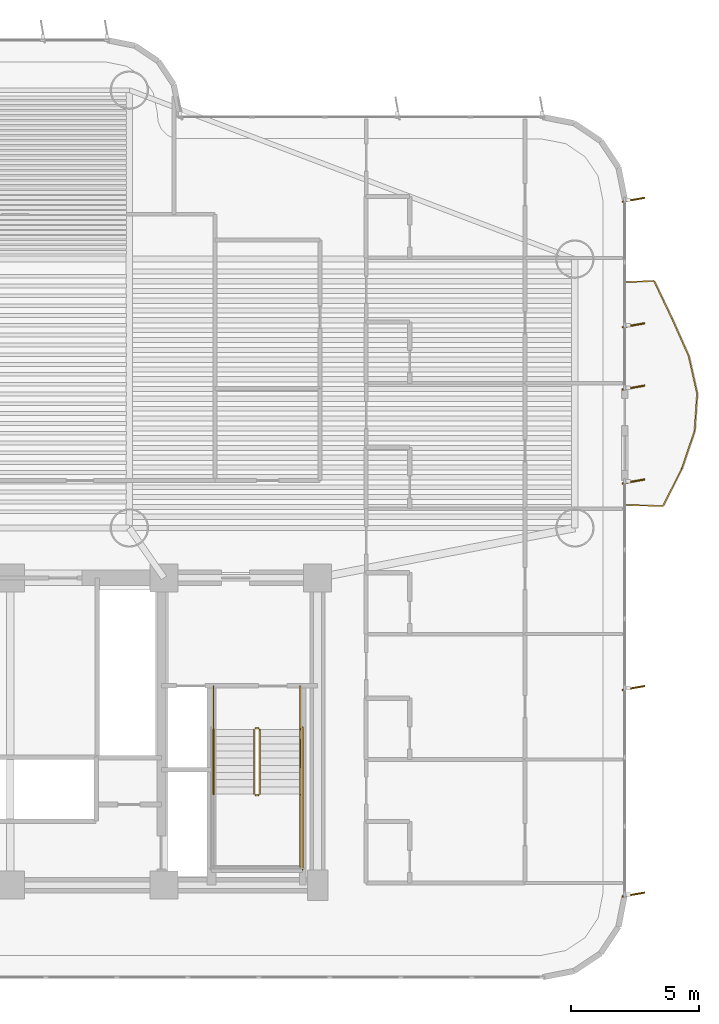
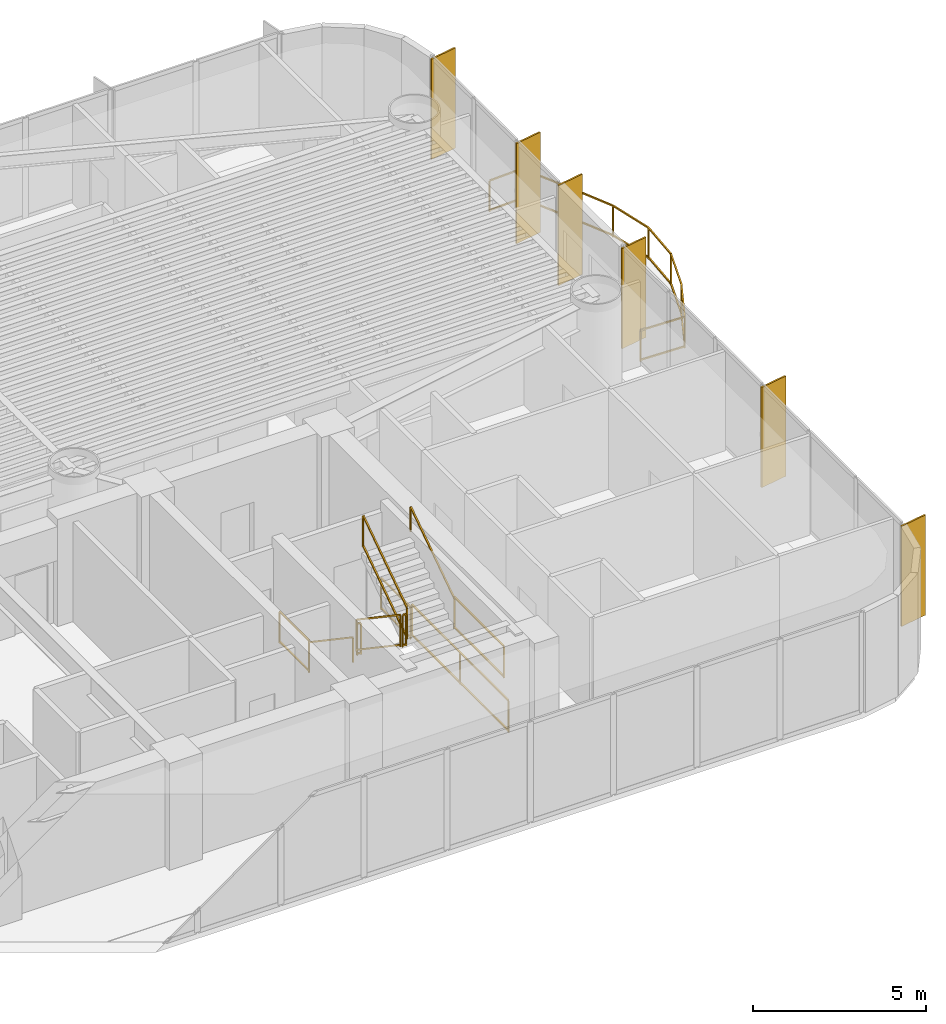
# One storey, part 18 of 19: 11 railings, 6 shading devices.
"""IFC4 building model written with IfcOpenShell, lengths in metres."""

from ifc_helpers import new_model, si_unit, direction, frame, origin, origin_2d, place, context, subcontext, project, spatial, rectangle, extrude, source, transform, mapped, material, layer, layer_set, material_profile, profile_set, type_object, element, save


model = new_model("IFC4")

# Units and contexts
model_context = context("Model", 3, precision=1e-05, world=origin(), true_north=direction((0.0, 1.0)))
body_context = subcontext(model_context, "Body", "Model", "MODEL_VIEW")
ifc_project = project(units=[si_unit("LENGTHUNIT", "METRE"), si_unit("AREAUNIT", "SQUARE_METRE"), si_unit("VOLUMEUNIT", "CUBIC_METRE"), si_unit("PLANEANGLEUNIT", "RADIAN"), si_unit("MASSUNIT", "GRAM", prefix="KILO")], contexts=[model_context])

# Site, building, storey
site_placement = place(None, origin())
site = spatial("IfcSite", under=ifc_project, at=site_placement, CompositionType="ELEMENT")
building_placement = place(site_placement, origin())
building = spatial("IfcBuilding", under=site, at=building_placement, Name="Brelvock Crest Care Tower", CompositionType="ELEMENT")
storey_placement = place(building_placement, frame((0.0, 0.0, 68.580078125)))
storey = spatial("IfcBuildingStorey", under=building, at=storey_placement, Name="L17", CompositionType="ELEMENT", Elevation=68.580078125)

# Railings
ifc_material_1 = material(Name="Dark Glass Double Glazed Low-E", Category="glass")
ifc_layer_1 = layer(ifc_material_1, 0.06005859375, Name="RL-BAL1")
ifc_layer_set_1 = layer_set([ifc_layer_1], Name="Dark Glass Double Glazed Low-E")
railing_type_1 = type_object("IfcRailingType", Name="RL-BAL1", PredefinedType="BALUSTRADE", material=ifc_layer_set_1)
railing_1_placement = place(storey_placement, frame((60.0400390625, 20.85009765625, 0.00390625)))
element("IfcRailing", 1, at=railing_1_placement, inside=storey, type_object=railing_type_1, Name="L17 Safety Balustrade WB-E", PredefinedType="BALUSTRADE", context=body_context, shape_type="SweptSolid", body=[
    extrude(rectangle(XDim=0.048095703125, YDim=0.048095703125, at=origin_2d()), frame((0.001953125, 0.0, 1.09619140625), z_axis=(0.999404799616, -0.034497050669, 0.0), x_axis=(0.034497050669, 0.999404799616, 0.0)), (0.0, 0.0, 1.0), 1.44677734375),
    extrude(rectangle(XDim=0.048095703125, YDim=0.048095703125, at=origin_2d()), frame((0.001953125, 0.0, 0.054931640625), z_axis=(0.999404799616, -0.034497050669, 0.0), x_axis=(0.034497050669, 0.999404799616, 0.0)), (0.0, 0.0, 1.0), 1.44677734375),
    extrude(rectangle(XDim=0.048095703125, YDim=0.048095703125, at=origin_2d()), frame((1.450927734375, -0.04833984375, 1.09619140625), z_axis=(0.448225238773, 0.893920653821, 0.0), x_axis=(-0.893920653821, 0.448225238773, 0.0)), (0.0, 0.0, 1.0), 1.636474609375),
    extrude(rectangle(XDim=0.048095703125, YDim=0.048095703125, at=origin_2d()), frame((1.450927734375, -0.04833984375, 0.054931640625), z_axis=(0.448225238773, 0.893920653821, 0.0), x_axis=(-0.893920653821, 0.448225238773, 0.0)), (0.0, 0.0, 1.0), 1.636474609375),
    extrude(rectangle(XDim=0.048095703125, YDim=0.048095703125, at=origin_2d()), frame((2.18603515625, 1.41845703125, 1.09619140625), z_axis=(0.32151843705, 0.946903318527, 0.0), x_axis=(-0.946903318527, 0.32151843705, 0.0)), (0.0, 0.0, 1.0), 1.545166015625),
    extrude(rectangle(XDim=0.048095703125, YDim=0.048095703125, at=origin_2d()), frame((2.18603515625, 1.41845703125, 0.054931640625), z_axis=(0.32151843705, 0.946903318527, 0.0), x_axis=(-0.946903318527, 0.32151843705, 0.0)), (0.0, 0.0, 1.0), 1.545166015625),
    extrude(rectangle(XDim=0.048095703125, YDim=0.048095703125, at=origin_2d()), frame((2.68359375, 2.88525390625, 1.09619140625), z_axis=(0.068095275072, 0.997678822825, 0.0), x_axis=(-0.997678822825, 0.068095275072, 0.0)), (0.0, 0.0, 1.0), 1.466064453125),
    extrude(rectangle(XDim=0.048095703125, YDim=0.048095703125, at=origin_2d()), frame((2.68359375, 2.88525390625, 0.054931640625), z_axis=(0.068095275072, 0.997678822825, 0.0), x_axis=(-0.997678822825, 0.068095275072, 0.0)), (0.0, 0.0, 1.0), 1.466064453125),
    extrude(rectangle(XDim=0.048095703125, YDim=0.048095703125, at=origin_2d()), frame((2.782958984375, 4.351806640625, 1.09619140625), z_axis=(-0.219697655804, 0.975568008923, 0.0), x_axis=(-0.975568008923, -0.219697655804, 0.0)), (0.0, 0.0, 1.0), 1.49951171875),
    extrude(rectangle(XDim=0.048095703125, YDim=0.048095703125, at=origin_2d()), frame((2.782958984375, 4.351806640625, 0.054931640625), z_axis=(-0.219697655804, 0.975568008923, 0.0), x_axis=(-0.975568008923, -0.219697655804, 0.0)), (0.0, 0.0, 1.0), 1.49951171875),
    extrude(rectangle(XDim=0.048095703125, YDim=0.048095703125, at=origin_2d()), frame((2.452392578125, 5.818359375, 1.09619140625), z_axis=(-0.407182153329, 0.913346973505, 0.0), x_axis=(-0.913346973505, -0.407182153329, 0.0)), (0.0, 0.0, 1.0), 1.601806640625),
    extrude(rectangle(XDim=0.048095703125, YDim=0.048095703125, at=origin_2d()), frame((2.452392578125, 5.818359375, 0.054931640625), z_axis=(-0.407182153329, 0.913346973505, 0.0), x_axis=(-0.913346973505, -0.407182153329, 0.0)), (0.0, 0.0, 1.0), 1.601806640625),
    extrude(rectangle(XDim=0.048095703125, YDim=0.048095703125, at=origin_2d()), frame((1.79833984375, 7.284912109375, 1.09619140625), z_axis=(-0.430429214624, 0.902624335589, 0.0), x_axis=(-0.902624335589, -0.430429214624, 0.0)), (0.0, 0.0, 1.0), 1.62109375),
    extrude(rectangle(XDim=0.048095703125, YDim=0.048095703125, at=origin_2d()), frame((1.79833984375, 7.284912109375, 0.054931640625), z_axis=(-0.430429214624, 0.902624335589, 0.0), x_axis=(-0.902624335589, -0.430429214624, 0.0)), (0.0, 0.0, 1.0), 1.62109375),
    extrude(rectangle(XDim=0.048095703125, YDim=0.048095703125, at=origin_2d()), frame((1.097900390625, 8.75, 1.09619140625), z_axis=(-0.998966252902, -0.045457953795, 0.0), x_axis=(0.045457953795, -0.998966252902, 0.0)), (0.0, 0.0, 1.0), 1.096923828125),
    extrude(rectangle(XDim=0.048095703125, YDim=0.048095703125, at=origin_2d()), frame((1.097900390625, 8.75, 0.054931640625), z_axis=(-0.998966252902, -0.045457953795, 0.0), x_axis=(0.045457953795, -0.998966252902, 0.0)), (0.0, 0.0, 1.0), 1.096923828125),
    extrude(rectangle(XDim=0.0419921875, YDim=0.0419921875, at=origin_2d()), origin(), (0.0, 0.0, 1.0), 1.070068359375),
    extrude(rectangle(XDim=0.0419921875, YDim=0.0419921875, at=origin_2d()), frame((1.449951171875, -0.050048828125, 0.0)), (0.0, 0.0, 1.0), 1.070068359375),
    extrude(rectangle(XDim=0.0419921875, YDim=0.0419921875, at=origin_2d()), frame((2.185302734375, 1.41650390625, 0.0)), (0.0, 0.0, 1.0), 1.070068359375),
    extrude(rectangle(XDim=0.0419921875, YDim=0.0419921875, at=origin_2d()), frame((2.683349609375, 2.88330078125, 0.0)), (0.0, 0.0, 1.0), 1.070068359375),
    extrude(rectangle(XDim=0.0419921875, YDim=0.0419921875, at=origin_2d()), frame((2.783447265625, 4.349853515625, 0.0)), (0.0, 0.0, 1.0), 1.070068359375),
    extrude(rectangle(XDim=0.0419921875, YDim=0.0419921875, at=origin_2d()), frame((2.453125, 5.816650390625, 0.0)), (0.0, 0.0, 1.0), 1.070068359375),
    extrude(rectangle(XDim=0.0419921875, YDim=0.0419921875, at=origin_2d()), frame((1.79931640625, 7.283203125, 0.0)), (0.0, 0.0, 1.0), 1.070068359375),
    extrude(rectangle(XDim=0.0419921875, YDim=0.0419921875, at=origin_2d()), frame((1.099853515625, 8.75, 0.0)), (0.0, 0.0, 1.0), 1.070068359375),
    extrude(rectangle(XDim=0.0419921875, YDim=0.0419921875, at=origin_2d()), frame((0.0, 8.699951171875, 0.0)), (0.0, 0.0, 1.0), 1.070068359375),
])
ifc_material_2 = material(Name="Steel Grade 350", Category="steel")
ifc_layer_2 = layer(ifc_material_2, 0.050048828125, Name="RL-STG1")
ifc_layer_set_2 = layer_set([ifc_layer_2], Name="Steel Grade 350")
railing_type_2 = type_object("IfcRailingType", Name="RL-STG1", PredefinedType="GUARDRAIL", material=ifc_layer_set_2)
railing_2_placement = place(storey_placement, frame((45.52001953125, 12.080078125, 0.18896484375)))
element("IfcRailing", 2, at=railing_2_placement, inside=storey, type_object=railing_type_2, Name="L17 ST-2 stair guard 1", PredefinedType="GUARDRAIL", context=body_context, shape_type="SweptSolid", body=[
    extrude(rectangle(XDim=0.048095703125, YDim=0.048095703125, at=origin_2d()), frame((0.0, -0.001708984375, 1.116943359375), z_axis=(0.0, -0.828861706735, 0.559453546873), x_axis=(1.0, 0.0, 0.0)), (0.0, 0.0, 1.0), 3.036376953125),
    extrude(rectangle(XDim=0.048095703125, YDim=0.048095703125, at=origin_2d()), frame((0.0, -0.001708984375, 0.05615234375), z_axis=(0.0, -0.828861706735, 0.559453546873), x_axis=(1.0, 0.0, 0.0)), (0.0, 0.0, 1.0), 3.036376953125),
    extrude(rectangle(XDim=0.0419921875, YDim=0.0419921875, at=origin_2d()), origin(), (0.0, 0.0, 1.0), 1.08984375),
    extrude(rectangle(XDim=0.0419921875, YDim=0.0419921875, at=origin_2d()), frame((0.0, -2.52001953125, 1.700927734375)), (0.0, 0.0, 1.0), 1.08984375),
])
railing_3_placement = place(storey_placement, frame((45.570068359375, 9.510009765625, 1.889892578125)))
element("IfcRailing", 3, at=railing_3_placement, inside=storey, type_object=railing_type_2, Name="L17 ST-2 stair guard 2", PredefinedType="GUARDRAIL", context=body_context, shape_type="SweptSolid", body=[
    extrude(rectangle(XDim=0.048095703125, YDim=0.048095703125, at=origin_2d()), frame((0.001953125, 0.0, 1.11572265625), z_axis=(1.0, 0.0, 0.0), x_axis=(0.0, 1.0, 0.0)), (0.0, 0.0, 1.0), 0.115966796875),
    extrude(rectangle(XDim=0.048095703125, YDim=0.048095703125, at=origin_2d()), frame((0.001953125, 0.0, 0.054931640625), z_axis=(1.0, 0.0, 0.0), x_axis=(0.0, 1.0, 0.0)), (0.0, 0.0, 1.0), 0.115966796875),
    extrude(rectangle(XDim=0.0419921875, YDim=0.0419921875, at=origin_2d()), origin(), (0.0, 0.0, 1.0), 1.08984375),
    extrude(rectangle(XDim=0.0419921875, YDim=0.0419921875, at=origin_2d()), frame((0.119873046875, 0.0, 0.0)), (0.0, 0.0, 1.0), 1.08984375),
])
railing_4_placement = place(storey_placement, frame((47.320068359375, 9.56005859375, 1.889892578125)))
element("IfcRailing", 4, at=railing_4_placement, inside=storey, type_object=railing_type_2, Name="L17 ST-2 stair guard 4", PredefinedType="GUARDRAIL", context=body_context, shape_type="SweptSolid", body=[
    extrude(rectangle(XDim=0.048095703125, YDim=0.048095703125, at=origin_2d()), frame((0.0, -0.001953125, 1.11572265625), z_axis=(0.0, -1.0, 0.0), x_axis=(1.0, 0.0, 0.0)), (0.0, 0.0, 1.0), 2.856201171875),
    extrude(rectangle(XDim=0.048095703125, YDim=0.048095703125, at=origin_2d()), frame((0.0, -0.001953125, 0.054931640625), z_axis=(0.0, -1.0, 0.0), x_axis=(1.0, 0.0, 0.0)), (0.0, 0.0, 1.0), 2.856201171875),
    extrude(rectangle(XDim=0.0419921875, YDim=0.0419921875, at=origin_2d()), origin(), (0.0, 0.0, 1.0), 1.08984375),
    extrude(rectangle(XDim=0.0419921875, YDim=0.0419921875, at=origin_2d()), frame((0.0, -2.860107421875, 0.0)), (0.0, 0.0, 1.0), 1.08984375),
])
railing_5_placement = place(storey_placement, frame((45.739990234375, 9.56005859375, 2.078857421875)))
element("IfcRailing", 5, at=railing_5_placement, inside=storey, type_object=railing_type_2, Name="L17 ST-2 stair guard 6", PredefinedType="GUARDRAIL", context=body_context, shape_type="SweptSolid", body=[
    extrude(rectangle(XDim=0.048095703125, YDim=0.048095703125, at=origin_2d()), frame((0.0, 0.001708984375, 1.116943359375), z_axis=(0.0, 0.82882447046, 0.559508710537), x_axis=(-1.0, 0.0, 0.0)), (0.0, 0.0, 1.0), 3.036376953125),
    extrude(rectangle(XDim=0.048095703125, YDim=0.048095703125, at=origin_2d()), frame((0.0, 0.001708984375, 0.05615234375), z_axis=(0.0, 0.82882447046, 0.559508710537), x_axis=(-1.0, 0.0, 0.0)), (0.0, 0.0, 1.0), 3.036376953125),
    extrude(rectangle(XDim=0.0419921875, YDim=0.0419921875, at=origin_2d()), origin(), (0.0, 0.0, 1.0), 1.08984375),
    extrude(rectangle(XDim=0.0419921875, YDim=0.0419921875, at=origin_2d()), frame((0.0, 2.52001953125, 1.701171875)), (0.0, 0.0, 1.0), 1.08984375),
])
railing_6_placement = place(storey_placement, frame((45.570068359375, 12.1298828125, 0.0)))
element("IfcRailing", 6, at=railing_6_placement, inside=storey, type_object=railing_type_2, Name="L17 ST-2 stair guard 7", PredefinedType="GUARDRAIL", context=body_context, shape_type="SweptSolid", body=[
    extrude(rectangle(XDim=0.048095703125, YDim=0.048095703125, at=origin_2d()), frame((0.001953125, 0.0, 1.11572265625), z_axis=(1.0, 0.0, 0.0), x_axis=(0.0, 1.0, 0.0)), (0.0, 0.0, 1.0), 0.115966796875),
    extrude(rectangle(XDim=0.048095703125, YDim=0.048095703125, at=origin_2d()), frame((0.001953125, 0.0, 0.054931640625), z_axis=(1.0, 0.0, 0.0), x_axis=(0.0, 1.0, 0.0)), (0.0, 0.0, 1.0), 0.115966796875),
    extrude(rectangle(XDim=0.0419921875, YDim=0.0419921875, at=origin_2d()), origin(), (0.0, 0.0, 1.0), 1.08984375),
    extrude(rectangle(XDim=0.0419921875, YDim=0.0419921875, at=origin_2d()), frame((0.119873046875, 0.0, 0.0)), (0.0, 0.0, 1.0), 1.08984375),
])
for number, where, name in (
    (7, (43.93994140625, 13.780029296875, 0.0), "L17 ST-2 stair guard 8"),
    (8, (47.320068359375, 13.780029296875, 0.0), "L17 ST-2 stair guard 9"),
):
    element("IfcRailing", number, at=place(storey_placement, frame(where)), inside=storey, type_object=railing_type_2, Name=name, PredefinedType="GUARDRAIL", context=body_context, shape_type="SweptSolid", body=[
        extrude(rectangle(XDim=0.048095703125, YDim=0.048095703125, at=origin_2d()), frame((0.0, -0.001953125, 1.11572265625), z_axis=(0.0, -1.0, 0.0), x_axis=(1.0, 0.0, 0.0)), (0.0, 0.0, 1.0), 1.696044921875),
        extrude(rectangle(XDim=0.048095703125, YDim=0.048095703125, at=origin_2d()), frame((0.0, -0.001953125, 0.054931640625), z_axis=(0.0, -1.0, 0.0), x_axis=(1.0, 0.0, 0.0)), (0.0, 0.0, 1.0), 1.696044921875),
        extrude(rectangle(XDim=0.0419921875, YDim=0.0419921875, at=origin_2d()), origin(), (0.0, 0.0, 1.0), 1.08984375),
        extrude(rectangle(XDim=0.0419921875, YDim=0.0419921875, at=origin_2d()), frame((0.0, -1.699951171875, 0.0)), (0.0, 0.0, 1.0), 1.08984375),
    ])
railing_7_placement = place(storey_placement, frame((47.419921875, 12.179931640625, 0.0)))
element("IfcRailing", 9, at=railing_7_placement, inside=storey, type_object=railing_type_2, Name="L17 ST-2 stair guard 11", PredefinedType="GUARDRAIL", context=body_context, shape_type="SweptSolid", body=[
    extrude(rectangle(XDim=0.048095703125, YDim=0.048095703125, at=origin_2d()), frame((0.0, -0.001953125, 1.11572265625), z_axis=(0.0, -1.0, 0.0), x_axis=(1.0, 0.0, 0.0)), (0.0, 0.0, 1.0), 5.575927734375),
    extrude(rectangle(XDim=0.048095703125, YDim=0.048095703125, at=origin_2d()), frame((0.0, -0.001953125, 0.054931640625), z_axis=(0.0, -1.0, 0.0), x_axis=(1.0, 0.0, 0.0)), (0.0, 0.0, 1.0), 5.575927734375),
    extrude(rectangle(XDim=0.0419921875, YDim=0.0419921875, at=origin_2d()), origin(), (0.0, 0.0, 1.0), 1.08984375),
    extrude(rectangle(XDim=0.0419921875, YDim=0.0419921875, at=origin_2d()), frame((0.0, -2.7900390625, 0.0)), (0.0, 0.0, 1.0), 1.08984375),
    extrude(rectangle(XDim=0.0419921875, YDim=0.0419921875, at=origin_2d()), frame((0.0, -5.579833984375, 0.0)), (0.0, 0.0, 1.0), 1.08984375),
])
ifc_layer_3 = layer(ifc_material_2, 0.048095703125, Name="RL-STH1")
ifc_layer_set_3 = layer_set([ifc_layer_3], Name="Steel Grade 350")
railing_type_3 = type_object("IfcRailingType", Name="RL-STH1", PredefinedType="HANDRAIL", material=ifc_layer_set_3)
railing_8_placement = place(storey_placement, frame((43.93994140625, 12.080078125, 0.18896484375)))
element("IfcRailing", 10, at=railing_8_placement, inside=storey, type_object=railing_type_3, Name="L17 ST-2 stair handrail 1", PredefinedType="HANDRAIL", context=body_context, shape_type="SweptSolid", body=[
    extrude(rectangle(XDim=0.048095703125, YDim=0.048095703125, at=origin_2d()), frame((0.0, -0.001708984375, 0.876953125), z_axis=(0.0, -0.828861706735, 0.559453546873), x_axis=(1.0, 0.0, 0.0)), (0.0, 0.0, 1.0), 3.036376953125),
    extrude(rectangle(XDim=0.0419921875, YDim=0.0419921875, at=origin_2d()), origin(), (0.0, 0.0, 1.0), 0.849853515625),
    extrude(rectangle(XDim=0.0419921875, YDim=0.0419921875, at=origin_2d()), frame((0.0, -2.52001953125, 1.700927734375)), (0.0, 0.0, 1.0), 0.849853515625),
])
railing_9_placement = place(storey_placement, frame((47.320068359375, 9.56005859375, 2.078857421875)))
element("IfcRailing", 11, at=railing_9_placement, inside=storey, type_object=railing_type_3, Name="L17 ST-2 stair handrail 2", PredefinedType="HANDRAIL", context=body_context, shape_type="SweptSolid", body=[
    extrude(rectangle(XDim=0.048095703125, YDim=0.048095703125, at=origin_2d()), frame((0.0, 0.001708984375, 0.876953125), z_axis=(0.0, 0.82882447046, 0.559508710537), x_axis=(-1.0, 0.0, 0.0)), (0.0, 0.0, 1.0), 3.036376953125),
    extrude(rectangle(XDim=0.0419921875, YDim=0.0419921875, at=origin_2d()), origin(), (0.0, 0.0, 1.0), 0.849853515625),
    extrude(rectangle(XDim=0.0419921875, YDim=0.0419921875, at=origin_2d()), frame((0.0, 2.52001953125, 1.701171875)), (0.0, 0.0, 1.0), 0.849853515625),
])

# Shading devices
ifc_material_3 = material(Name="Aluminium 6063-T6", Category="aluminium")
ifc_material_profile = material_profile(ifc_material_3, rectangle(XDim=0.054931640625, YDim=0.89990234375, at=origin_2d()), Name="FIN55x900")
ifc_profile_set = profile_set([ifc_material_profile], Name="Aluminium 6063-T6")
shading_device_type = type_object("IfcShadingDeviceType", Name="SHD-FIN1", PredefinedType="USERDEFINED", material=ifc_profile_set)
shared_shape = source(origin(), body_context, "Body", "SweptSolid", [
    extrude(rectangle(XDim=0.054931640625, YDim=0.89990234375, at=origin_2d()), origin(), (0.0, 0.0, 1.0), 3.530029296875),
])
for number, where, z_axis, x_axis, name in (
    (12, (60.340087890625, 32.767578125, 0.0), (0.0, 0.0, 1.0), (0.173648177667, -0.984807753012, 0.0), "L17 Vertical Sunshade Fin E03A-01"),
    (13, (60.340087890625, 27.86669921875, 0.0), (0.0, 0.0, 1.0), (0.173648177667, -0.984807753012, 0.0), "L17 Vertical Sunshade Fin E03A-03"),
    (14, (60.340087890625, 25.4326171875, 0.0), (0.0, 0.0, 1.0), (0.173648177667, -0.984807753012, 0.0), "L17 Vertical Sunshade Fin E03A-04"),
    (15, (60.340087890625, 21.767578125, 0.0), (0.0, 0.0, 1.0), (0.173648177667, -0.984807753012, 0.0), "L17 Vertical Sunshade Fin E03B-01"),
    (16, (60.340087890625, 13.699951171875, 0.0), (0.0, 0.0, 1.0), (0.173648177667, -0.984807753012, 0.0), "L17 Vertical Sunshade Fin E03B-04"),
    (17, (60.340087890625, 5.632568359375, 0.0), (0.0, 0.0, 1.0), (0.173648177667, -0.984807753012, 0.0), "L17 Vertical Sunshade Fin E03B-07"),
):
    element("IfcShadingDevice", number, at=place(storey_placement, frame(where, z_axis=z_axis, x_axis=x_axis)), inside=storey, type_object=shading_device_type, Name=name, ObjectType="FIN", PredefinedType="USERDEFINED", context=body_context, shape_type="MappedRepresentation", body=[
        mapped(shared_shape, transform((0.0, 0.0, 0.0), x_axis=(1.0, 0.0, 0.0), y_axis=(0.0, 1.0, 0.0), z_axis=(0.0, 0.0, 1.0), scale=1.0)),
    ])

save(model, "model.ifc")
